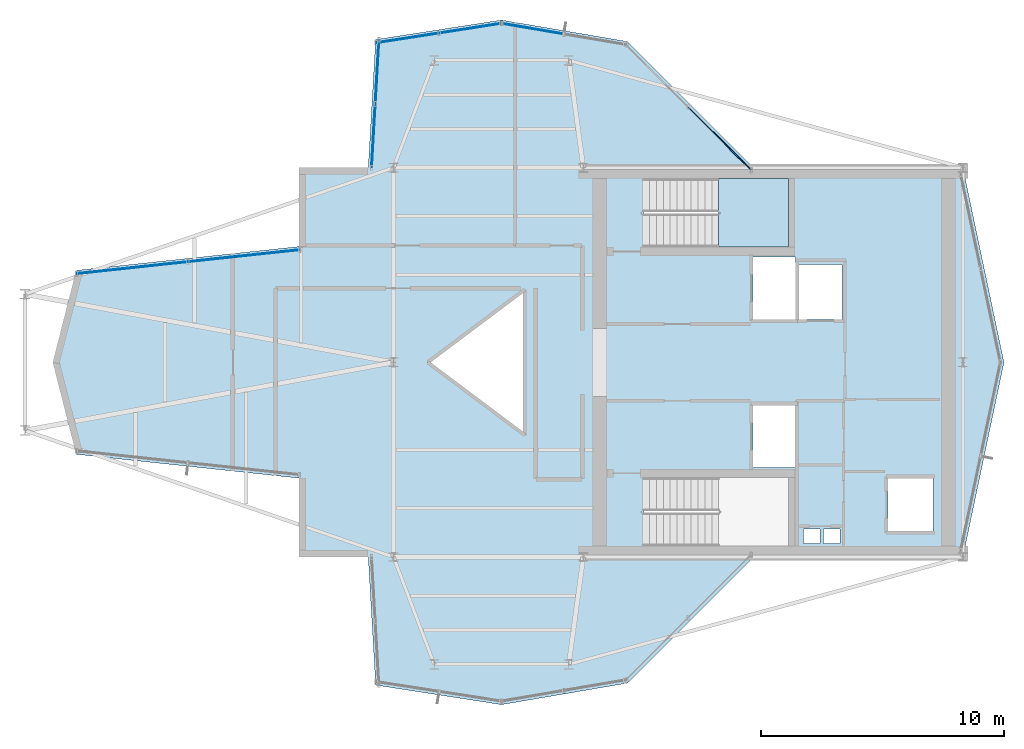
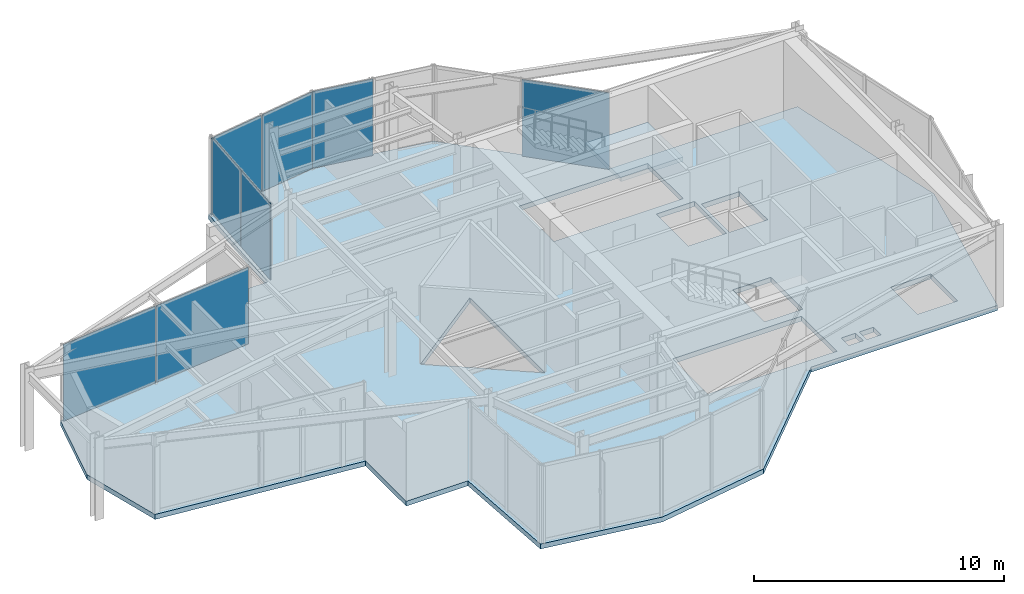
# One storey, part 9 of 13: 8 plates, 2 slabs, 6 elements without a shape of their own.
"""IFC4 building model written with IfcOpenShell, lengths in metres."""

import ifcopenshell
import ifcopenshell.guid

model = None  # the IFC model being written
_history = None  # IfcOwnerHistory: only IFC2X3 demands one
_inside = {}  # id of a spatial element -> (the spatial element, [elements in it])
_under = {}  # id of a project, library or spatial element -> (it, [spatial elements below it])
_declared = {}  # id of a project -> (the project, [libraries it declares])
_typed = {}  # id of a type object -> (the type object, [elements of that type])
_made_of = {}  # id of a material, layer set ... -> (it, [elements and type objects made of it])


def new_model(schema):
    """Start an empty IFC model of exactly this schema.

    Asked for "IFC4X3", IfcOpenShell would pick the latest addendum, in which some entities
    have other attributes; the version numbers below select the first issue.
    IFC2X3 requires an IfcOwnerHistory on every rooted entity: one is made here for all.
    """
    global model, _history
    if schema == "IFC4X3":
        model = ifcopenshell.file(schema_version=(4, 3, 0, 0))
    else:
        model = ifcopenshell.file(schema=schema)
    _inside.clear()
    _under.clear()
    _declared.clear()
    _typed.clear()
    _made_of.clear()
    _history = None
    if model.schema == "IFC2X3":
        org = make("IfcOrganization", Name="unknown")
        user = make(
            "IfcPersonAndOrganization",
            ThePerson=make("IfcPerson", FamilyName="unknown"),
            TheOrganization=org,
        )
        app = make(
            "IfcApplication",
            ApplicationDeveloper=org,
            Version="unknown",
            ApplicationFullName="unknown",
            ApplicationIdentifier="unknown",
        )
        _history = make(
            "IfcOwnerHistory",
            OwningUser=user,
            OwningApplication=app,
            ChangeAction="ADDED",
            CreationDate=0,
        )
    return model


def make(cls, **values):
    """One entity of the class cls with the attributes given. An attribute that is None is left unset."""
    return model.create_entity(
        cls, **{name: value for name, value in values.items() if value is not None}
    )


def rooted(cls, **values):
    """An entity with a GlobalId (a new one), such as an element, a storey or a relation."""
    return make(cls, GlobalId=ifcopenshell.guid.new(), OwnerHistory=_history, **values)


def si_unit(unit_type, name, prefix=None):
    """IfcSIUnit, for example si_unit("LENGTHUNIT", "METRE", prefix="MILLI")."""
    return make("IfcSIUnit", UnitType=unit_type, Prefix=prefix, Name=name)


def assignment(units):
    """IfcUnitAssignment: the units of a project."""
    return None if units is None else make("IfcUnitAssignment", Units=units)


def point(xyz):
    """IfcCartesianPoint."""
    return None if xyz is None else make("IfcCartesianPoint", Coordinates=xyz)


def direction(xyz):
    """IfcDirection."""
    return None if xyz is None else make("IfcDirection", DirectionRatios=xyz)


def frame(location, z_axis=None, x_axis=None):
    """IfcAxis2Placement3D, a coordinate frame: its origin and axes. An axis left out is left unset."""
    return make(
        "IfcAxis2Placement3D",
        Location=point(location),
        Axis=direction(z_axis),
        RefDirection=direction(x_axis),
    )


def frame_2d(location, x_axis=None):
    """IfcAxis2Placement2D, a coordinate frame in the plane: its origin and x axis."""
    return make(
        "IfcAxis2Placement2D", Location=point(location), RefDirection=direction(x_axis)
    )


def origin():
    """The frame at (0, 0, 0) with its axes left unset."""
    return frame((0.0, 0.0, 0.0))


def origin_2d():
    """The frame at (0, 0) in the plane with its x axis left unset."""
    return frame_2d((0.0, 0.0))


def place(relative_to, where):
    """IfcLocalPlacement: puts the frame where relative to a parent placement (None: the world)."""
    return make(
        "IfcLocalPlacement", PlacementRelTo=relative_to, RelativePlacement=where
    )


def context(
    kind, dimensions, precision=None, world=None, true_north=None, identifier=None
):
    """IfcGeometricRepresentationContext, for example the 3D "Model" context."""
    return make(
        "IfcGeometricRepresentationContext",
        ContextIdentifier=identifier,
        ContextType=kind,
        CoordinateSpaceDimension=dimensions,
        Precision=precision,
        WorldCoordinateSystem=world,
        TrueNorth=true_north,
    )


def subcontext(parent, identifier, kind, view, scale=None):
    """IfcGeometricRepresentationSubContext, for example "Body" below "Model"."""
    return make(
        "IfcGeometricRepresentationSubContext",
        ContextIdentifier=identifier,
        ContextType=kind,
        ParentContext=parent,
        TargetScale=scale,
        TargetView=view,
    )


def project(units=None, contexts=None):
    """IfcProject with its units and contexts."""
    return rooted(
        "IfcProject",
        Name="project",
        RepresentationContexts=contexts,
        UnitsInContext=assignment(units),
    )


def spatial(cls, under=None, at=None, **own):
    """A site, building, storey or space (cls), placed at a placement, below another one or the project."""
    s = rooted(cls, ObjectPlacement=at, **own)
    if under is not None:
        _under.setdefault(under.id(), (under, []))[1].append(s)
    return s


def polyline(points):
    """IfcPolyline through the points."""
    return make("IfcPolyline", Points=[point(p) for p in points])


def profile(cls, at=None, kind="AREA", **sizes):
    """A parametric profile (cls). Its sizes go by their IFC names, for example OverallWidth=200.0."""
    return make(cls, ProfileType=kind, Position=at, **sizes)


def rectangle(**sizes):
    """IfcRectangleProfileDef."""
    return profile("IfcRectangleProfileDef", **sizes)


def outline(outer, holes=None, kind="AREA"):
    """IfcArbitraryClosedProfileDef: a profile drawn as a closed curve; with holes, ...WithVoids."""
    if holes is None:
        return make("IfcArbitraryClosedProfileDef", ProfileType=kind, OuterCurve=outer)
    return make(
        "IfcArbitraryProfileDefWithVoids",
        ProfileType=kind,
        OuterCurve=outer,
        InnerCurves=holes,
    )


def extrude(swept, where, along, depth):
    """IfcExtrudedAreaSolid: the profile swept, set in the frame where, extruded along a direction by depth."""
    return make(
        "IfcExtrudedAreaSolid",
        SweptArea=swept,
        Position=where,
        ExtrudedDirection=direction(along),
        Depth=depth,
    )


def shape(context_of_items, identifier, shape_type, items):
    """IfcShapeRepresentation: the items that make up one representation, for example the "Body"."""
    return make(
        "IfcShapeRepresentation",
        ContextOfItems=context_of_items,
        RepresentationIdentifier=identifier,
        RepresentationType=shape_type,
        Items=items,
    )


def material(Name=None, Category=None):
    """IfcMaterial."""
    return make("IfcMaterial", Name=Name, Category=Category)


def layer(
    of_material, thickness, ventilated=None, Name=None, Category=None, Priority=None
):
    """IfcMaterialLayer: one layer of a wall or slab, of a material (None: an air gap)."""
    return make(
        "IfcMaterialLayer",
        Material=of_material,
        LayerThickness=thickness,
        IsVentilated=ventilated,
        Name=Name,
        Category=Category,
        Priority=Priority,
    )


def layer_set(layers, Name=None):
    """IfcMaterialLayerSet."""
    return make("IfcMaterialLayerSet", MaterialLayers=layers, LayerSetName=Name)


def made_of(thing, what):
    """Note that an element or type object is made of a material, layer set ...; save() writes the relation."""
    if what is not None:
        _made_of.setdefault(what.id(), (what, []))[1].append(thing)
    return thing


def type_object(cls, material=None, **own):
    """A type object (cls), such as IfcWallType, which elements share."""
    return made_of(rooted(cls, **own), material)


def element(
    cls,
    number,
    at=None,
    inside=None,
    cuts=None,
    type_object=None,
    material=None,
    context=None,
    identifier="Body",
    shape_type=None,
    held_by="IfcProductDefinitionShape",
    body=None,
    shapes=None,
    **own,
):
    """One element of the class cls, such as IfcWall. Its Tag is "e" and its number.

    at: its placement. inside: the storey or other place that contains it. cuts: it is an
    opening in that element (IfcRelVoidsElement). A single representation is given by context,
    identifier, shape_type and body (its items); several are given by shapes. held_by: the class
    of the entity that holds the representations. save() writes the other relations.
    """
    e = rooted(cls, Tag="e%d" % number, ObjectPlacement=at, **own)
    if body is not None:
        shapes = [shape(context, identifier, shape_type, body)]
    if shapes is not None:
        e.Representation = make(held_by, Representations=shapes)
    if inside is not None:
        _inside.setdefault(inside.id(), (inside, []))[1].append(e)
    if cuts is not None:
        rooted(
            "IfcRelVoidsElement", RelatingBuildingElement=cuts, RelatedOpeningElement=e
        )
    if type_object is not None:
        _typed.setdefault(type_object.id(), (type_object, []))[1].append(e)
    return made_of(e, material)


def aggregate(whole, parts):
    """IfcRelAggregates: a whole, such as a stair, and the parts it consists of."""
    return rooted("IfcRelAggregates", RelatingObject=whole, RelatedObjects=parts)


def save(model, path):
    """Write the relations noted so far, then the file.

    IfcRelAggregates (storeys below a building ...), IfcRelContainedInSpatialStructure (elements
    in a storey), IfcRelDefinesByType, IfcRelAssociatesMaterial and IfcRelDeclares: one each for
    every whole, place, type object, material and project.
    """
    for whole, parts in _under.values():
        aggregate(whole, parts)
    for where, things in _inside.values():
        rooted(
            "IfcRelContainedInSpatialStructure",
            RelatedElements=things,
            RelatingStructure=where,
        )
    for kind, things in _typed.values():
        rooted("IfcRelDefinesByType", RelatedObjects=things, RelatingType=kind)
    for what, things in _made_of.values():
        rooted("IfcRelAssociatesMaterial", RelatedObjects=things, RelatingMaterial=what)
    for by, libraries in _declared.values():
        rooted("IfcRelDeclares", RelatingContext=by, RelatedDefinitions=libraries)
    model.write(path)


model = new_model("IFC4")

# Units and contexts
model_context = context("Model", 3, precision=1e-05, world=origin(), true_north=direction((0.0, 1.0)))
body_context = subcontext(model_context, "Body", "Model", "MODEL_VIEW")
ifc_project = project(units=[si_unit("LENGTHUNIT", "METRE"), si_unit("AREAUNIT", "SQUARE_METRE"), si_unit("VOLUMEUNIT", "CUBIC_METRE"), si_unit("PLANEANGLEUNIT", "RADIAN"), si_unit("MASSUNIT", "GRAM", prefix="KILO")], contexts=[model_context])

# Site, building, storey
site_placement = place(None, origin())
site = spatial("IfcSite", under=ifc_project, at=site_placement, CompositionType="ELEMENT")
building_placement = place(site_placement, origin())
building = spatial("IfcBuilding", under=site, at=building_placement, Name="Veymaron Broadcast Tower", CompositionType="ELEMENT")
storey_placement = place(building_placement, frame((0.0, 0.0, 303.300048828125)))
storey = spatial("IfcBuildingStorey", under=building, at=storey_placement, Name="L71", CompositionType="ELEMENT", Elevation=303.300048828125)

# Curtain wall, plate
ifc_material_1 = material(Name="Anodised aluminium AA 6063-T6 and laminated low-E dark glass", Category="aluminium")
ifc_layer_1 = layer(ifc_material_1, 0.179931640625)
ifc_layer_set_1 = layer_set([ifc_layer_1], Name="Anodised aluminium AA 6063-T6 and laminated low-E dark glass")
curtain_wall_type = type_object("IfcCurtainWallType", Name="CW-SYS-06", PredefinedType="NOTDEFINED", material=ifc_layer_set_1)
curtain_wall_1_placement = place(storey_placement, origin())
curtain_wall_1 = element("IfcCurtainWall", 1, at=curtain_wall_1_placement, inside=storey, type_object=curtain_wall_type, Name="L71 dark-glass curtain wall CW-L71-E5-1", PredefinedType="NOTDEFINED")
ifc_material_2 = material(Name="Insulated dark-anodised aluminium spandrel panel 40 mm", Category="aluminium")
ifc_layer_2 = layer(ifc_material_2, 0.0400390625)
ifc_layer_set_2 = layer_set([ifc_layer_2], Name="Insulated dark-anodised aluminium spandrel panel 40 mm")
plate_type = type_object("IfcPlateType", Name="CW-PNL-03", PredefinedType="CURTAIN_PANEL", material=ifc_layer_set_2)
plate_1_placement = place(storey_placement, frame((44.60302734375, 33.197265625, 0.0400390625), z_axis=(0.0, 0.0, 1.0), x_axis=(-0.707402911339, 0.706810526965, 0.0)))
plate_1 = element("IfcPlate", 2, at=plate_1_placement, type_object=plate_type, Name="CW-L71-E5-1 unitised curtain panel 0", PredefinedType="CURTAIN_PANEL", context=body_context, shape_type="SweptSolid", body=[
    extrude(rectangle(XDim=3.60791015625, YDim=0.0400390625, at=origin_2d()), origin(), (0.0, 0.0, 1.0), 3.72998046875),
])
aggregate(curtain_wall_1, [plate_1])

curtain_wall_2_placement = place(storey_placement, origin())
curtain_wall_2 = element("IfcCurtainWall", 3, at=curtain_wall_2_placement, inside=storey, type_object=curtain_wall_type, Name="L71 dark-glass curtain wall CW-L71-E6-1", PredefinedType="NOTDEFINED")
plate_2_placement = place(storey_placement, frame((36.90673828125, 37.710205078125, 0.0400390625), z_axis=(0.0, 0.0, 1.0), x_axis=(-0.985697587099, 0.168523787004, 0.0)))
plate_2 = element("IfcPlate", 4, at=plate_2_placement, type_object=plate_type, Name="CW-L71-E6-1 unitised curtain panel 1", PredefinedType="CURTAIN_PANEL", context=body_context, shape_type="SweptSolid", body=[
    extrude(rectangle(XDim=2.56396484375, YDim=0.0400390625, at=origin_2d()), origin(), (0.0, 0.0, 1.0), 3.72998046875),
])
aggregate(curtain_wall_2, [plate_2])

# Curtain wall, plates
curtain_wall_3_placement = place(storey_placement, origin())
curtain_wall_3 = element("IfcCurtainWall", 5, at=curtain_wall_3_placement, inside=storey, type_object=curtain_wall_type, Name="L71 dark-glass curtain wall CW-L71-E7-1", PredefinedType="NOTDEFINED")
plate_3_placement = place(storey_placement, frame((34.365478515625, 37.72998046875, 0.0400390625), z_axis=(0.0, 0.0, 1.0), x_axis=(-0.988134743341, -0.153589482068, 0.0)))
plate_3 = element("IfcPlate", 6, at=plate_3_placement, type_object=plate_type, Name="CW-L71-E7-1 unitised curtain panel 0", PredefinedType="CURTAIN_PANEL", context=body_context, shape_type="SweptSolid", body=[
    extrude(rectangle(XDim=2.5576171875, YDim=0.0400390625, at=origin_2d()), origin(), (0.0, 0.0, 1.0), 3.72998046875),
])
plate_4_placement = place(storey_placement, frame((31.779052734375, 37.327880859375, 0.0400390625), z_axis=(0.0, 0.0, 1.0), x_axis=(-0.988134743341, -0.153589482068, 0.0)))
plate_4 = element("IfcPlate", 7, at=plate_4_placement, type_object=plate_type, Name="CW-L71-E7-1 unitised curtain panel 1", PredefinedType="CURTAIN_PANEL", context=body_context, shape_type="SweptSolid", body=[
    extrude(rectangle(XDim=2.5576171875, YDim=0.0400390625, at=origin_2d()), origin(), (0.0, 0.0, 1.0), 3.72998046875),
])
aggregate(curtain_wall_3, [plate_3, plate_4])

curtain_wall_4_placement = place(storey_placement, origin())
curtain_wall_4 = element("IfcCurtainWall", 8, at=curtain_wall_4_placement, inside=storey, type_object=curtain_wall_type, Name="L71 dark-glass curtain wall CW-L71-E8-1", PredefinedType="NOTDEFINED")
plate_5_placement = place(storey_placement, frame((30.528076171875, 35.94091796875, 0.0400390625), z_axis=(0.0, 0.0, 1.0), x_axis=(-0.057720845415, -0.998332762161, 0.0)))
plate_5 = element("IfcPlate", 9, at=plate_5_placement, type_object=plate_type, Name="CW-L71-E8-1 unitised curtain panel 0", PredefinedType="CURTAIN_PANEL", context=body_context, shape_type="SweptSolid", body=[
    extrude(rectangle(XDim=2.576904296875, YDim=0.0400390625, at=origin_2d()), origin(), (0.0, 0.0, 1.0), 3.72998046875),
])
plate_6_placement = place(storey_placement, frame((30.375732421875, 33.30810546875, 0.0400390625), z_axis=(0.0, 0.0, 1.0), x_axis=(-0.057720845415, -0.998332762161, 0.0)))
plate_6 = element("IfcPlate", 10, at=plate_6_placement, type_object=plate_type, Name="CW-L71-E8-1 unitised curtain panel 1", PredefinedType="CURTAIN_PANEL", context=body_context, shape_type="SweptSolid", body=[
    extrude(rectangle(XDim=2.576904296875, YDim=0.0400390625, at=origin_2d()), origin(), (0.0, 0.0, 1.0), 3.72998046875),
])
aggregate(curtain_wall_4, [plate_5, plate_6])

curtain_wall_5_placement = place(storey_placement, origin())
curtain_wall_5 = element("IfcCurtainWall", 11, at=curtain_wall_5_placement, inside=storey, type_object=curtain_wall_type, Name="L71 dark-glass curtain wall CW-L71-E11-1", PredefinedType="NOTDEFINED")
plate_7_placement = place(storey_placement, frame((25.0400390625, 28.375732421875, 0.0400390625), z_axis=(0.0, 0.0, 1.0), x_axis=(-0.994321239945, -0.106420260264, 0.0)))
plate_7 = element("IfcPlate", 12, at=plate_7_placement, type_object=plate_type, Name="CW-L71-E11-1 unitised curtain panel 0", PredefinedType="CURTAIN_PANEL", context=body_context, shape_type="SweptSolid", body=[
    extrude(rectangle(XDim=4.54296875, YDim=0.0400390625, at=origin_2d()), origin(), (0.0, 0.0, 1.0), 3.72998046875),
])
plate_8_placement = place(storey_placement, frame((20.46337890625, 27.885986328125, 0.0400390625), z_axis=(0.0, 0.0, 1.0), x_axis=(-0.994321239945, -0.106420260264, 0.0)))
plate_8 = element("IfcPlate", 13, at=plate_8_placement, type_object=plate_type, Name="CW-L71-E11-1 unitised curtain panel 1", PredefinedType="CURTAIN_PANEL", context=body_context, shape_type="SweptSolid", body=[
    extrude(rectangle(XDim=4.54296875, YDim=0.0400390625, at=origin_2d()), origin(), (0.0, 0.0, 1.0), 3.72998046875),
])
aggregate(curtain_wall_5, [plate_7, plate_8])

# Slab
ifc_material_3 = material(Name="Concrete C40/50", Category="concrete")
ifc_layer_3 = layer(ifc_material_3, 0.239990234375)
ifc_layer_set_3 = layer_set([ifc_layer_3], Name="Concrete C40/50")
slab_type_1 = type_object("IfcSlabType", Name="SLAB-FS6", PredefinedType="FLOOR", material=ifc_layer_set_3)
slab_1_placement = place(storey_placement, frame((0.0, 0.0, -0.239990234375)))
element("IfcSlab", 14, at=slab_1_placement, inside=storey, type_object=slab_type_1, Name="L71 structural floor slab", PredefinedType="FLOOR", context=body_context, shape_type="SweptSolid", body=[
    extrude(outline(polyline([(45.999267578125, 16.0), (54.60009765625, 16.0), (56.288330078125, 24.0), (54.60009765625, 32.0), (45.999267578125, 32.0), (40.81005859375, 37.184814453125), (35.63720703125, 38.069091796875), (30.46435546875, 37.26513671875), (30.159912109375, 32.0), (27.313720703125, 32.0), (27.313720703125, 28.760009765625), (18.159912109375, 27.7802734375), (17.1953125, 24.0), (18.159912109375, 20.2197265625), (27.313720703125, 19.239990234375), (27.313720703125, 16.0), (30.159912109375, 16.0), (30.46435546875, 10.73486328125), (35.63720703125, 9.930908203125), (40.81005859375, 10.815185546875), (45.999267578125, 16.0)]), holes=[polyline([(45.969970703125, 28.330078125), (47.72998046875, 28.330078125), (47.72998046875, 25.77001953125), (45.969970703125, 25.77001953125), (45.969970703125, 28.330078125)]), polyline([(45.969970703125, 22.22998046875), (47.72998046875, 22.22998046875), (47.72998046875, 19.669921875), (45.969970703125, 19.669921875), (45.969970703125, 22.22998046875)]), polyline([(47.8701171875, 28.030029296875), (49.6298828125, 28.030029296875), (49.6298828125, 25.77001953125), (47.8701171875, 25.77001953125), (47.8701171875, 28.030029296875)]), polyline([(51.52001953125, 19.22998046875), (53.3798828125, 19.22998046875), (53.3798828125, 17.070068359375), (51.52001953125, 17.070068359375), (51.52001953125, 19.22998046875)]), polyline([(48.050048828125, 17.159912109375), (48.719970703125, 17.159912109375), (48.719970703125, 16.56005859375), (48.050048828125, 16.56005859375), (48.050048828125, 17.159912109375)]), polyline([(48.8798828125, 17.159912109375), (49.550048828125, 17.159912109375), (49.550048828125, 16.56005859375), (48.8798828125, 16.56005859375), (48.8798828125, 17.159912109375)]), polyline([(36.60009765625, 27.0), (36.60009765625, 21.0), (32.60009765625, 24.0), (36.60009765625, 27.0)]), polyline([(41.489990234375, 31.550048828125), (47.43994140625, 31.550048828125), (47.43994140625, 28.72998046875), (41.489990234375, 28.72998046875), (41.489990234375, 31.550048828125)]), polyline([(41.489990234375, 19.27001953125), (47.43994140625, 19.27001953125), (47.43994140625, 16.449951171875), (41.489990234375, 16.449951171875), (41.489990234375, 19.27001953125)])]), origin(), (0.0, 0.0, 1.0), 0.239990234375),
])

# Stair, slab
ifc_material_4 = material(Name="Concrete C50/60", Category="concrete")
stair_type = type_object("IfcStairType", Name="STAIR-CORE-1", PredefinedType="HALF_TURN_STAIR", material=ifc_material_4)
stair_placement = place(storey_placement, origin())
stair = element("IfcStair", 15, at=stair_placement, inside=storey, type_object=stair_type, Name="L71 North protected dog-leg exit stair ST1", PredefinedType="HALF_TURN_STAIR")
ifc_layer_4 = layer(ifc_material_4, 0.199951171875)
ifc_layer_set_4 = layer_set([ifc_layer_4], Name="Concrete C50/60")
slab_type_2 = type_object("IfcSlabType", Name="SLAB-STAIR-LDG", PredefinedType="LANDING", material=ifc_layer_set_4)
slab_2_placement = place(storey_placement, frame((0.0, 0.0, 1.824951171875)))
slab_2 = element("IfcSlab", 16, at=slab_2_placement, type_object=slab_type_2, Name="ST1 landing 1", PredefinedType="LANDING", context=body_context, shape_type="SweptSolid", body=[
    extrude(outline(polyline([(44.56494140625, 28.72998046875), (47.43994140625, 28.72998046875), (47.43994140625, 31.550048828125), (44.56494140625, 31.550048828125), (44.56494140625, 28.72998046875)])), origin(), (0.0, 0.0, 1.0), 0.199951171875),
])
aggregate(stair, [slab_2])

save(model, "model.ifc")
